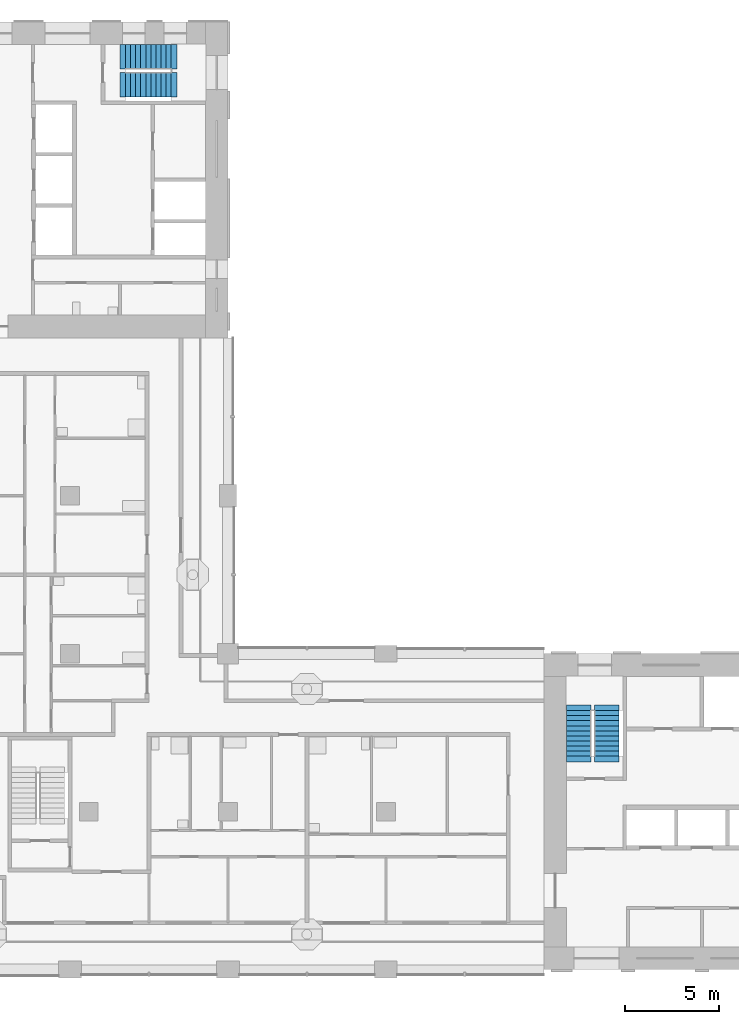
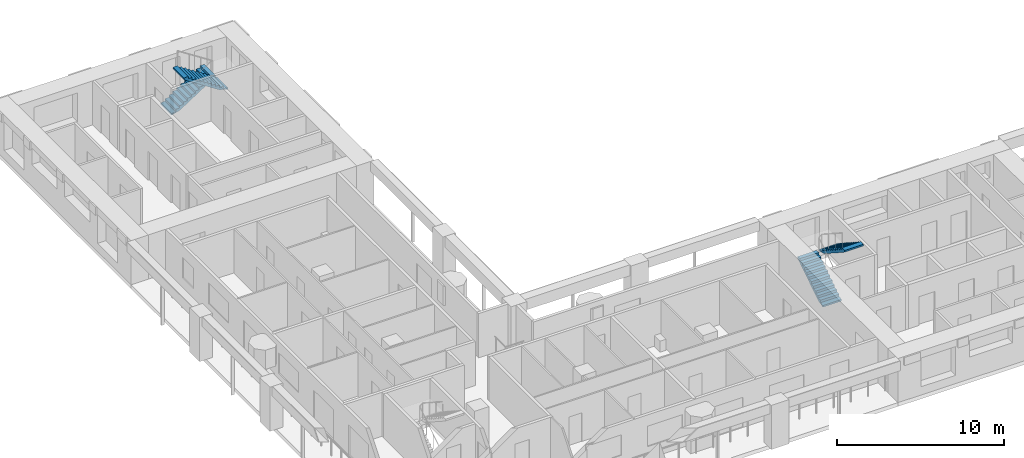
# One storey, part 7 of 13: 4 stair flights, 2 elements without a shape of their own.
"""IFC4 building model written with IfcOpenShell, lengths in metres."""

from ifc_helpers import new_model, si_unit, direction, frame, origin, place, context, subcontext, project, spatial, polyline, outline, extrude, material, type_object, element, aggregate, save


model = new_model("IFC4")

# Units and contexts
model_context = context("Model", 3, precision=1e-05, world=origin(), true_north=direction((0.0, 1.0)))
body_context = subcontext(model_context, "Body", "Model", "MODEL_VIEW")
ifc_project = project(units=[si_unit("LENGTHUNIT", "METRE"), si_unit("AREAUNIT", "SQUARE_METRE"), si_unit("VOLUMEUNIT", "CUBIC_METRE"), si_unit("PLANEANGLEUNIT", "RADIAN"), si_unit("MASSUNIT", "GRAM", prefix="KILO")], contexts=[model_context])

# Site, building, storey
site_placement = place(None, origin())
site = spatial("IfcSite", under=ifc_project, at=site_placement, CompositionType="ELEMENT")
building_placement = place(site_placement, origin())
building = spatial("IfcBuilding", under=site, at=building_placement, Name="Vermilion Gate Residences", CompositionType="ELEMENT")
storey_placement = place(building_placement, frame((0.0, 0.0, 182.699951171875)))
storey = spatial("IfcBuildingStorey", under=building, at=storey_placement, Name="L47", CompositionType="ELEMENT", Elevation=182.699951171875)

# Stair, stair flights
ifc_material_1 = material(Name="Concrete C50", Category="concrete")
stair_type = type_object("IfcStairType", Name="SPECIAL ESCAPE STAIR 1300", PredefinedType="HALF_TURN_STAIR", material=ifc_material_1)
stair_1_placement = place(storey_placement, origin())
stair_1 = element("IfcStair", 1, at=stair_1_placement, inside=storey, type_object=stair_type, Name="Special escape stair STA1-47", PredefinedType="HALF_TURN_STAIR")
ifc_material_2 = material(Name="Concrete C50", Category="concrete")
stair_flight_type = type_object("IfcStairFlightType", Name="STAIR FLIGHT 1300 RC C50", PredefinedType="STRAIGHT", material=ifc_material_2)
stair_flight_1_placement = place(storey_placement, frame((43.85009765625, 19.75, 0.0), z_axis=(0.0, 0.0, 1.0), x_axis=(0.0, 1.0, 0.0)))
stair_flight_1 = element("IfcStairFlight", 2, at=stair_flight_1_placement, type_object=stair_flight_type, Name="STA1-47 flight 1", NumberOfRisers=10, NumberOfTreads=9, PredefinedType="STRAIGHT", RiserHeight=0.175, TreadLength=0.27, context=body_context, shape_type="SweptSolid", body=[
    extrude(outline(polyline([(-0.300048828125, -0.14990234375), (-0.300048828125, -0.030029296875), (0.0, 0.0), (0.0, 0.175048828125), (0.27001953125, 0.175048828125), (0.27001953125, 0.35009765625), (0.5400390625, 0.35009765625), (0.5400390625, 0.52490234375), (0.81005859375, 0.52490234375), (0.81005859375, 0.699951171875), (1.080078125, 0.699951171875), (1.080078125, 0.875), (1.35009765625, 0.875), (1.35009765625, 1.050048828125), (1.6201171875, 1.050048828125), (1.6201171875, 1.22509765625), (1.889892578125, 1.22509765625), (1.889892578125, 1.39990234375), (2.159912109375, 1.39990234375), (2.159912109375, 1.574951171875), (2.429931640625, 1.574951171875), (2.429931640625, 1.75), (2.72998046875, 1.719970703125), (2.72998046875, 1.60009765625), (2.429931640625, 1.396484375), (0.275634765625, 0.0), (-0.300048828125, -0.14990234375)])), frame((0.0, 0.64990234375, 0.0), z_axis=(0.0, -1.0, 0.0), x_axis=(1.0, 0.0, 0.0)), (0.0, 0.0, 1.0), 1.300048828125),
])
stair_flight_2_placement = place(storey_placement, frame((45.35009765625, 22.179931640625, 1.75), z_axis=(0.0, 0.0, 1.0), x_axis=(0.0, -1.0, 0.0)))
stair_flight_2 = element("IfcStairFlight", 3, at=stair_flight_2_placement, type_object=stair_flight_type, Name="STA1-47 flight 2", NumberOfRisers=10, NumberOfTreads=9, PredefinedType="STRAIGHT", RiserHeight=0.175, TreadLength=0.27, context=body_context, shape_type="SweptSolid", body=[
    extrude(outline(polyline([(-0.300048828125, -0.14990234375), (-0.300048828125, -0.030029296875), (0.0, 0.0), (0.0, 0.175048828125), (0.27001953125, 0.175048828125), (0.27001953125, 0.35009765625), (0.5400390625, 0.35009765625), (0.5400390625, 0.52490234375), (0.81005859375, 0.52490234375), (0.81005859375, 0.699951171875), (1.080078125, 0.699951171875), (1.080078125, 0.875), (1.35009765625, 0.875), (1.35009765625, 1.050048828125), (1.6201171875, 1.050048828125), (1.6201171875, 1.22509765625), (1.889892578125, 1.22509765625), (1.889892578125, 1.39990234375), (2.159912109375, 1.39990234375), (2.159912109375, 1.574951171875), (2.429931640625, 1.574951171875), (2.429931640625, 1.75), (2.72998046875, 1.719970703125), (2.72998046875, 1.60009765625), (2.429931640625, 1.396484375), (0.275634765625, 0.0), (-0.300048828125, -0.14990234375)])), frame((0.0, 0.64990234375, 0.0), z_axis=(0.0, -1.0, 0.0), x_axis=(1.0, 0.0, 0.0)), (0.0, 0.0, 1.0), 1.300048828125),
])
aggregate(stair_1, [stair_flight_1, stair_flight_2])

stair_2_placement = place(storey_placement, origin())
stair_2 = element("IfcStair", 4, at=stair_2_placement, inside=storey, type_object=stair_type, Name="Special escape stair STB1-47", PredefinedType="HALF_TURN_STAIR")
stair_flight_3_placement = place(storey_placement, frame((19.75, 56.949951171875, 0.0), z_axis=(0.0, 0.0, 1.0), x_axis=(1.0, 0.0, 0.0)))
stair_flight_3 = element("IfcStairFlight", 5, at=stair_flight_3_placement, type_object=stair_flight_type, Name="STB1-47 flight 1", NumberOfRisers=10, NumberOfTreads=9, PredefinedType="STRAIGHT", RiserHeight=0.175, TreadLength=0.27, context=body_context, shape_type="SweptSolid", body=[
    extrude(outline(polyline([(-0.300048828125, -0.14990234375), (-0.300048828125, -0.030029296875), (0.0, 0.0), (0.0, 0.175048828125), (0.27001953125, 0.175048828125), (0.27001953125, 0.35009765625), (0.5400390625, 0.35009765625), (0.5400390625, 0.52490234375), (0.81005859375, 0.52490234375), (0.81005859375, 0.699951171875), (1.080078125, 0.699951171875), (1.080078125, 0.875), (1.35009765625, 0.875), (1.35009765625, 1.050048828125), (1.6201171875, 1.050048828125), (1.6201171875, 1.22509765625), (1.889892578125, 1.22509765625), (1.889892578125, 1.39990234375), (2.159912109375, 1.39990234375), (2.159912109375, 1.574951171875), (2.429931640625, 1.574951171875), (2.429931640625, 1.75), (2.72998046875, 1.719970703125), (2.72998046875, 1.60009765625), (2.429931640625, 1.396484375), (0.275634765625, 0.0), (-0.300048828125, -0.14990234375)])), frame((0.0, 0.64990234375, 0.0), z_axis=(0.0, -1.0, 0.0), x_axis=(1.0, 0.0, 0.0)), (0.0, 0.0, 1.0), 1.300048828125),
])
stair_flight_4_placement = place(storey_placement, frame((22.179931640625, 55.449951171875, 1.75), z_axis=(0.0, 0.0, 1.0), x_axis=(-1.0, 0.0, 0.0)))
stair_flight_4 = element("IfcStairFlight", 6, at=stair_flight_4_placement, type_object=stair_flight_type, Name="STB1-47 flight 2", NumberOfRisers=10, NumberOfTreads=9, PredefinedType="STRAIGHT", RiserHeight=0.175, TreadLength=0.27, context=body_context, shape_type="SweptSolid", body=[
    extrude(outline(polyline([(-0.300048828125, -0.14990234375), (-0.300048828125, -0.030029296875), (0.0, 0.0), (0.0, 0.175048828125), (0.27001953125, 0.175048828125), (0.27001953125, 0.35009765625), (0.5400390625, 0.35009765625), (0.5400390625, 0.52490234375), (0.81005859375, 0.52490234375), (0.81005859375, 0.699951171875), (1.080078125, 0.699951171875), (1.080078125, 0.875), (1.35009765625, 0.875), (1.35009765625, 1.050048828125), (1.6201171875, 1.050048828125), (1.6201171875, 1.22509765625), (1.889892578125, 1.22509765625), (1.889892578125, 1.39990234375), (2.159912109375, 1.39990234375), (2.159912109375, 1.574951171875), (2.429931640625, 1.574951171875), (2.429931640625, 1.75), (2.72998046875, 1.719970703125), (2.72998046875, 1.60009765625), (2.429931640625, 1.396484375), (0.275634765625, 0.0), (-0.300048828125, -0.14990234375)])), frame((0.0, 0.64990234375, 0.0), z_axis=(0.0, -1.0, 0.0), x_axis=(1.0, 0.0, 0.0)), (0.0, 0.0, 1.0), 1.300048828125),
])
aggregate(stair_2, [stair_flight_3, stair_flight_4])

save(model, "model.ifc")
